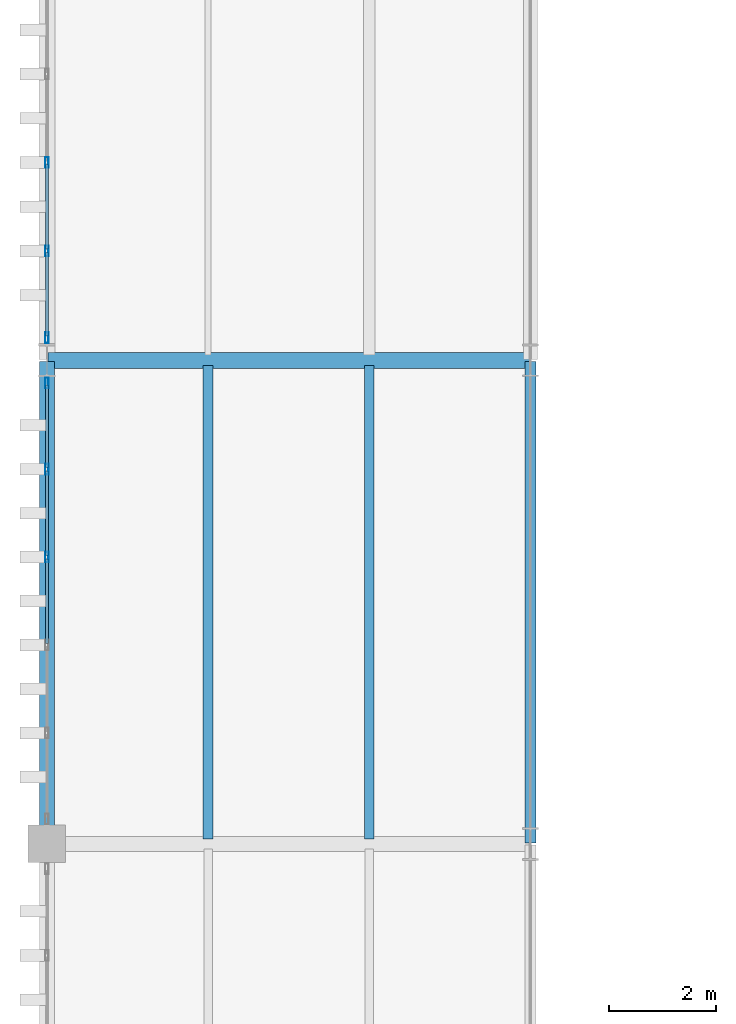
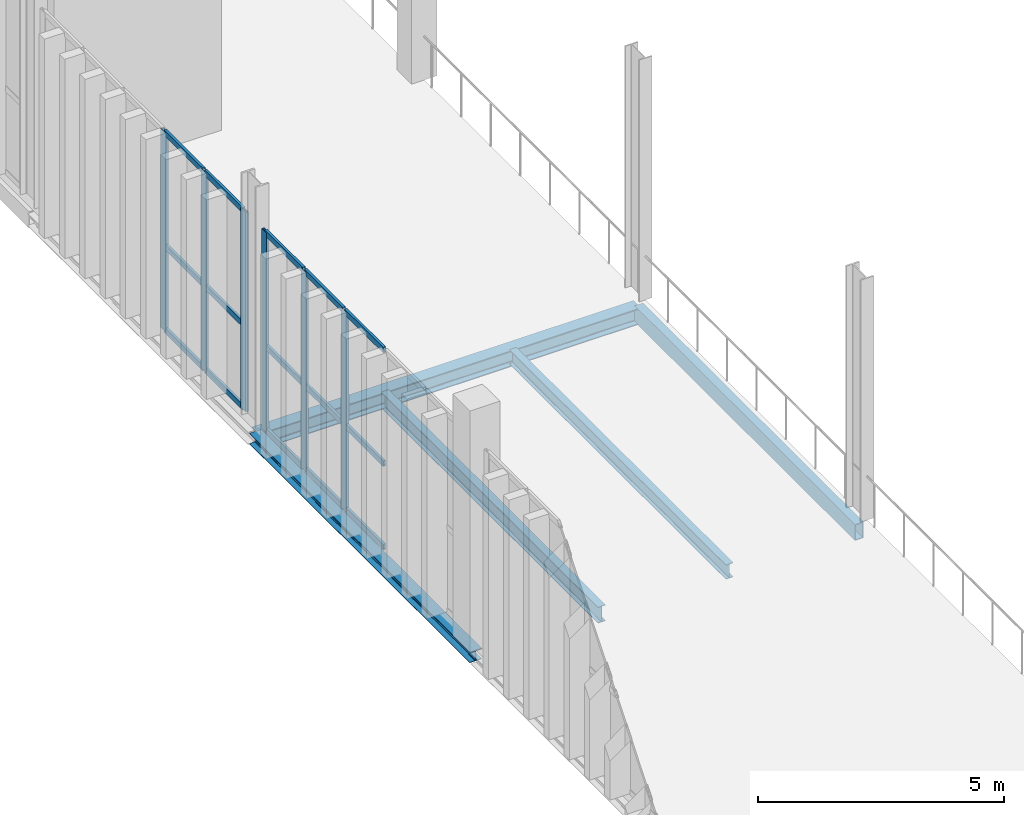
# One storey, part 74 of 211: 21 members, 5 beams, 2 elements without a shape of their own.
"""IFC4 building model written with IfcOpenShell, lengths in metres."""

from ifc_helpers import new_model, si_unit, direction, frame, origin, origin_2d, place, context, subcontext, project, spatial, hollow_rectangle, i_section, extrude, material, layer, layer_set, material_profile, profile_set, type_object, element, aggregate, save


model = new_model("IFC4")

# Units and contexts
model_context = context("Model", 3, precision=1e-05, world=origin(), true_north=direction((0.0, 1.0)))
body_context = subcontext(model_context, "Body", "Model", "MODEL_VIEW")
ifc_project = project(units=[si_unit("LENGTHUNIT", "METRE"), si_unit("AREAUNIT", "SQUARE_METRE"), si_unit("VOLUMEUNIT", "CUBIC_METRE"), si_unit("PLANEANGLEUNIT", "RADIAN"), si_unit("MASSUNIT", "GRAM", prefix="KILO")], contexts=[model_context])

# Site, building, storey
site_placement = place(None, origin())
site = spatial("IfcSite", under=ifc_project, at=site_placement, CompositionType="ELEMENT")
building_placement = place(site_placement, origin())
building = spatial("IfcBuilding", under=site, at=building_placement, Name="Barlavento Convention Centre", CompositionType="ELEMENT")
storey_placement = place(building_placement, frame((0.0, 0.0, 6.0)))
storey = spatial("IfcBuildingStorey", under=building, at=storey_placement, Name="L01", CompositionType="ELEMENT", Elevation=6.0)

# Curtain wall, members
ifc_material_1 = material(Name="Powder-coated aluminium and Low-E glass", Category="aluminium")
ifc_layer = layer(ifc_material_1, 0.179931640625)
ifc_layer_set = layer_set([ifc_layer], Name="ARC-CW-EXH-L01")
curtain_wall_type = type_object("IfcCurtainWallType", Name="ARC-CW-EXH-L01", PredefinedType="NOTDEFINED", material=ifc_layer_set)
curtain_wall_1_placement = place(storey_placement, origin())
curtain_wall_1 = element("IfcCurtainWall", 1, at=curtain_wall_1_placement, inside=storey, type_object=curtain_wall_type, Name="L01 unitised curtain wall CW04", PredefinedType="NOTDEFINED")
ifc_material_2 = material(Name="Powder-coated aluminium", Category="aluminium")
ifc_material_profile_1 = material_profile(ifc_material_2, hollow_rectangle(XDim=0.06494140625, YDim=0.199951171875, WallThickness=0.0048828125, at=origin_2d()), Name="AL-MULL 65x200x5")
ifc_profile_set_1 = profile_set([ifc_material_profile_1], Name="Powder-coated aluminium")
member_type_1 = type_object("IfcMemberType", Name="ARC-CWM-65X200", PredefinedType="MULLION", material=ifc_profile_set_1)
member_1_placement = place(storey_placement, frame((0.0, 77.337890625, 0.0), z_axis=(0.0, 0.0, 1.0), x_axis=(-1.0, 0.0, 0.0)))
member_1 = element("IfcMember", 2, at=member_1_placement, type_object=member_type_1, Name="CW04 mullion 4", PredefinedType="MULLION", context=body_context, shape_type="SweptSolid", body=[
    extrude(hollow_rectangle(XDim=0.06494140625, YDim=0.199951171875, WallThickness=0.0048828125, at=origin_2d()), origin(), (0.0, 0.0, 1.0), 4.949951171875),
])
member_2_placement = place(storey_placement, frame((0.0, 78.97412109375, 0.0), z_axis=(0.0, 0.0, 1.0), x_axis=(-1.0, 0.0, 0.0)))
member_2 = element("IfcMember", 3, at=member_2_placement, type_object=member_type_1, Name="CW04 mullion 5", PredefinedType="MULLION", context=body_context, shape_type="SweptSolid", body=[
    extrude(hollow_rectangle(XDim=0.06494140625, YDim=0.199951171875, WallThickness=0.0048828125, at=origin_2d()), origin(), (0.0, 0.0, 1.0), 4.949951171875),
])
member_3_placement = place(storey_placement, frame((0.0, 80.577392578125, 0.0), z_axis=(0.0, 0.0, 1.0), x_axis=(-1.0, 0.0, 0.0)))
member_3 = element("IfcMember", 4, at=member_3_placement, type_object=member_type_1, Name="CW04 mullion 6", PredefinedType="MULLION", context=body_context, shape_type="SweptSolid", body=[
    extrude(hollow_rectangle(XDim=0.06494140625, YDim=0.199951171875, WallThickness=0.0048828125, at=origin_2d()), origin(), (0.0, 0.0, 1.0), 4.949951171875),
])

curtain_wall_2_placement = place(storey_placement, origin())
curtain_wall_2 = element("IfcCurtainWall", 5, at=curtain_wall_2_placement, inside=storey, type_object=curtain_wall_type, Name="L01 unitised curtain wall CW04", PredefinedType="NOTDEFINED")
member_4_placement = place(storey_placement, frame((0.0, 81.422607421875, 0.0), z_axis=(0.0, 0.0, 1.0), x_axis=(-1.0, 0.0, 0.0)))
member_4 = element("IfcMember", 6, at=member_4_placement, type_object=member_type_1, Name="CW04 mullion 1", PredefinedType="MULLION", context=body_context, shape_type="SweptSolid", body=[
    extrude(hollow_rectangle(XDim=0.06494140625, YDim=0.199951171875, WallThickness=0.0048828125, at=origin_2d()), origin(), (0.0, 0.0, 1.0), 4.949951171875),
])
member_5_placement = place(storey_placement, frame((0.0, 83.035888671875, 0.0), z_axis=(0.0, 0.0, 1.0), x_axis=(-1.0, 0.0, 0.0)))
member_5 = element("IfcMember", 7, at=member_5_placement, type_object=member_type_1, Name="CW04 mullion 2", PredefinedType="MULLION", context=body_context, shape_type="SweptSolid", body=[
    extrude(hollow_rectangle(XDim=0.06494140625, YDim=0.199951171875, WallThickness=0.0048828125, at=origin_2d()), origin(), (0.0, 0.0, 1.0), 4.949951171875),
])
member_6_placement = place(storey_placement, frame((0.0, 84.681884765625, 0.0), z_axis=(0.0, 0.0, 1.0), x_axis=(-1.0, 0.0, 0.0)))
member_6 = element("IfcMember", 8, at=member_6_placement, type_object=member_type_1, Name="CW04 mullion 3", PredefinedType="MULLION", context=body_context, shape_type="SweptSolid", body=[
    extrude(hollow_rectangle(XDim=0.06494140625, YDim=0.199951171875, WallThickness=0.0048828125, at=origin_2d()), origin(), (0.0, 0.0, 1.0), 4.949951171875),
])

# Member
ifc_material_profile_2 = material_profile(ifc_material_2, hollow_rectangle(XDim=0.06005859375, YDim=0.139892578125, WallThickness=0.00390625, at=origin_2d()), Name="AL-TRAN 60x140x4")
ifc_profile_set_2 = profile_set([ifc_material_profile_2], Name="Powder-coated aluminium")
member_type_2 = type_object("IfcMemberType", Name="ARC-CWT-60X140", PredefinedType="USERDEFINED", material=ifc_profile_set_2)
member_7_placement = place(storey_placement, frame((0.0, 75.734619140625, 0.030029296875), z_axis=(0.0, 1.0, 0.0), x_axis=(-1.0, 0.0, 0.0)))
member_7 = element("IfcMember", 9, at=member_7_placement, type_object=member_type_2, Name="CW04 transom 3.1", ObjectType="TRANSOM", PredefinedType="USERDEFINED", context=body_context, shape_type="SweptSolid", body=[
    extrude(hollow_rectangle(XDim=0.06005859375, YDim=0.139892578125, WallThickness=0.00390625, at=origin_2d()), origin(), (0.0, 0.0, 1.0), 1.57080078125),
])

member_8_placement = place(storey_placement, frame((0.0, 75.734619140625, 2.10009765625), z_axis=(0.0, 1.0, 0.0), x_axis=(-1.0, 0.0, 0.0)))
member_8 = element("IfcMember", 10, at=member_8_placement, type_object=member_type_2, Name="CW04 transom 3.2", ObjectType="TRANSOM", PredefinedType="USERDEFINED", context=body_context, shape_type="SweptSolid", body=[
    extrude(hollow_rectangle(XDim=0.06005859375, YDim=0.139892578125, WallThickness=0.00390625, at=origin_2d()), origin(), (0.0, 0.0, 1.0), 1.57080078125),
])

member_9_placement = place(storey_placement, frame((0.0, 75.734619140625, 4.919921875), z_axis=(0.0, 1.0, 0.0), x_axis=(-1.0, 0.0, 0.0)))
member_9 = element("IfcMember", 11, at=member_9_placement, type_object=member_type_2, Name="CW04 transom 3.3", ObjectType="TRANSOM", PredefinedType="USERDEFINED", context=body_context, shape_type="SweptSolid", body=[
    extrude(hollow_rectangle(XDim=0.06005859375, YDim=0.139892578125, WallThickness=0.00390625, at=origin_2d()), origin(), (0.0, 0.0, 1.0), 1.57080078125),
])

member_10_placement = place(storey_placement, frame((0.0, 77.37060546875, 0.030029296875), z_axis=(0.0, 1.0, 0.0), x_axis=(-1.0, 0.0, 0.0)))
member_10 = element("IfcMember", 12, at=member_10_placement, type_object=member_type_2, Name="CW04 transom 4.1", ObjectType="TRANSOM", PredefinedType="USERDEFINED", context=body_context, shape_type="SweptSolid", body=[
    extrude(hollow_rectangle(XDim=0.06005859375, YDim=0.139892578125, WallThickness=0.00390625, at=origin_2d()), origin(), (0.0, 0.0, 1.0), 1.57080078125),
])

member_11_placement = place(storey_placement, frame((0.0, 77.37060546875, 2.10009765625), z_axis=(0.0, 1.0, 0.0), x_axis=(-1.0, 0.0, 0.0)))
member_11 = element("IfcMember", 13, at=member_11_placement, type_object=member_type_2, Name="CW04 transom 4.2", ObjectType="TRANSOM", PredefinedType="USERDEFINED", context=body_context, shape_type="SweptSolid", body=[
    extrude(hollow_rectangle(XDim=0.06005859375, YDim=0.139892578125, WallThickness=0.00390625, at=origin_2d()), origin(), (0.0, 0.0, 1.0), 1.57080078125),
])

member_12_placement = place(storey_placement, frame((0.0, 77.37060546875, 4.919921875), z_axis=(0.0, 1.0, 0.0), x_axis=(-1.0, 0.0, 0.0)))
member_12 = element("IfcMember", 14, at=member_12_placement, type_object=member_type_2, Name="CW04 transom 4.3", ObjectType="TRANSOM", PredefinedType="USERDEFINED", context=body_context, shape_type="SweptSolid", body=[
    extrude(hollow_rectangle(XDim=0.06005859375, YDim=0.139892578125, WallThickness=0.00390625, at=origin_2d()), origin(), (0.0, 0.0, 1.0), 1.57080078125),
])

member_13_placement = place(storey_placement, frame((0.0, 79.006591796875, 0.030029296875), z_axis=(0.0, 1.0, 0.0), x_axis=(-1.0, 0.0, 0.0)))
member_13 = element("IfcMember", 15, at=member_13_placement, type_object=member_type_2, Name="CW04 transom 5.1", ObjectType="TRANSOM", PredefinedType="USERDEFINED", context=body_context, shape_type="SweptSolid", body=[
    extrude(hollow_rectangle(XDim=0.06005859375, YDim=0.139892578125, WallThickness=0.00390625, at=origin_2d()), origin(), (0.0, 0.0, 1.0), 1.538330078125),
])

member_14_placement = place(storey_placement, frame((0.0, 79.006591796875, 2.10009765625), z_axis=(0.0, 1.0, 0.0), x_axis=(-1.0, 0.0, 0.0)))
member_14 = element("IfcMember", 16, at=member_14_placement, type_object=member_type_2, Name="CW04 transom 5.2", ObjectType="TRANSOM", PredefinedType="USERDEFINED", context=body_context, shape_type="SweptSolid", body=[
    extrude(hollow_rectangle(XDim=0.06005859375, YDim=0.139892578125, WallThickness=0.00390625, at=origin_2d()), origin(), (0.0, 0.0, 1.0), 1.538330078125),
])

member_15_placement = place(storey_placement, frame((0.0, 79.006591796875, 4.919921875), z_axis=(0.0, 1.0, 0.0), x_axis=(-1.0, 0.0, 0.0)))
member_15 = element("IfcMember", 17, at=member_15_placement, type_object=member_type_2, Name="CW04 transom 5.3", ObjectType="TRANSOM", PredefinedType="USERDEFINED", context=body_context, shape_type="SweptSolid", body=[
    extrude(hollow_rectangle(XDim=0.06005859375, YDim=0.139892578125, WallThickness=0.00390625, at=origin_2d()), origin(), (0.0, 0.0, 1.0), 1.538330078125),
])

aggregate(curtain_wall_1, [member_1, member_2, member_3, member_7, member_8, member_9, member_10, member_11, member_12, member_13, member_14, member_15])

member_16_placement = place(storey_placement, frame((0.0, 81.455078125, 0.030029296875), z_axis=(0.0, 1.0, 0.0), x_axis=(-1.0, 0.0, 0.0)))
member_16 = element("IfcMember", 18, at=member_16_placement, type_object=member_type_2, Name="CW04 transom 1.1", ObjectType="TRANSOM", PredefinedType="USERDEFINED", context=body_context, shape_type="SweptSolid", body=[
    extrude(hollow_rectangle(XDim=0.06005859375, YDim=0.139892578125, WallThickness=0.00390625, at=origin_2d()), origin(), (0.0, 0.0, 1.0), 1.54833984375),
])

member_17_placement = place(storey_placement, frame((0.0, 81.455078125, 2.10009765625), z_axis=(0.0, 1.0, 0.0), x_axis=(-1.0, 0.0, 0.0)))
member_17 = element("IfcMember", 19, at=member_17_placement, type_object=member_type_2, Name="CW04 transom 1.2", ObjectType="TRANSOM", PredefinedType="USERDEFINED", context=body_context, shape_type="SweptSolid", body=[
    extrude(hollow_rectangle(XDim=0.06005859375, YDim=0.139892578125, WallThickness=0.00390625, at=origin_2d()), origin(), (0.0, 0.0, 1.0), 1.54833984375),
])

member_18_placement = place(storey_placement, frame((0.0, 81.455078125, 4.919921875), z_axis=(0.0, 1.0, 0.0), x_axis=(-1.0, 0.0, 0.0)))
member_18 = element("IfcMember", 20, at=member_18_placement, type_object=member_type_2, Name="CW04 transom 1.3", ObjectType="TRANSOM", PredefinedType="USERDEFINED", context=body_context, shape_type="SweptSolid", body=[
    extrude(hollow_rectangle(XDim=0.06005859375, YDim=0.139892578125, WallThickness=0.00390625, at=origin_2d()), origin(), (0.0, 0.0, 1.0), 1.54833984375),
])

member_19_placement = place(storey_placement, frame((0.0, 83.068603515625, 0.030029296875), z_axis=(0.0, 1.0, 0.0), x_axis=(-1.0, 0.0, 0.0)))
member_19 = element("IfcMember", 21, at=member_19_placement, type_object=member_type_2, Name="CW04 transom 2.1", ObjectType="TRANSOM", PredefinedType="USERDEFINED", context=body_context, shape_type="SweptSolid", body=[
    extrude(hollow_rectangle(XDim=0.06005859375, YDim=0.139892578125, WallThickness=0.00390625, at=origin_2d()), origin(), (0.0, 0.0, 1.0), 1.580810546875),
])

member_20_placement = place(storey_placement, frame((0.0, 83.068603515625, 2.10009765625), z_axis=(0.0, 1.0, 0.0), x_axis=(-1.0, 0.0, 0.0)))
member_20 = element("IfcMember", 22, at=member_20_placement, type_object=member_type_2, Name="CW04 transom 2.2", ObjectType="TRANSOM", PredefinedType="USERDEFINED", context=body_context, shape_type="SweptSolid", body=[
    extrude(hollow_rectangle(XDim=0.06005859375, YDim=0.139892578125, WallThickness=0.00390625, at=origin_2d()), origin(), (0.0, 0.0, 1.0), 1.580810546875),
])

member_21_placement = place(storey_placement, frame((0.0, 83.068603515625, 4.919921875), z_axis=(0.0, 1.0, 0.0), x_axis=(-1.0, 0.0, 0.0)))
member_21 = element("IfcMember", 23, at=member_21_placement, type_object=member_type_2, Name="CW04 transom 2.3", ObjectType="TRANSOM", PredefinedType="USERDEFINED", context=body_context, shape_type="SweptSolid", body=[
    extrude(hollow_rectangle(XDim=0.06005859375, YDim=0.139892578125, WallThickness=0.00390625, at=origin_2d()), origin(), (0.0, 0.0, 1.0), 1.580810546875),
])

aggregate(curtain_wall_2, [member_4, member_5, member_6, member_16, member_17, member_18, member_19, member_20, member_21])

# Beams
ifc_material_3 = material(Name="Steel S355", Category="steel")
ifc_material_profile_3 = material_profile(ifc_material_3, i_section(OverallWidth=0.169921875, OverallDepth=0.360107421875, WebThickness=0.008056640625, FlangeThickness=0.0126953125, FilletRadius=0.01806640625, at=origin_2d()), Name="IPE 360")
ifc_profile_set_3 = profile_set([ifc_material_profile_3], Name="Steel S355")
beam_type_1 = type_object("IfcBeamType", Name="STR-BM-JST-IPE360", PredefinedType="JOIST", material=ifc_profile_set_3)
beam_1_placement = place(storey_placement, frame((6.0, 72.094970703125, -0.4599609375), z_axis=(0.0, 1.0, 0.0), x_axis=(-1.0, 0.0, 0.0)))
element("IfcBeam", 24, at=beam_1_placement, inside=storey, type_object=beam_type_1, Name="L01 composite floor joist SJ05", PredefinedType="JOIST", context=body_context, shape_type="SweptSolid", body=[
    extrude(i_section(OverallWidth=0.169921875, OverallDepth=0.360107421875, WebThickness=0.008056640625, FlangeThickness=0.0126953125, FilletRadius=0.01806640625, at=origin_2d()), origin(), (0.0, 0.0, 1.0), 8.81005859375),
])
ifc_material_profile_4 = material_profile(ifc_material_3, i_section(OverallWidth=0.179931640625, OverallDepth=0.39990234375, WebThickness=0.008544921875, FlangeThickness=0.013427734375, FilletRadius=0.02099609375, at=origin_2d()), Name="IPE 400")
ifc_profile_set_4 = profile_set([ifc_material_profile_4], Name="Steel S355")
beam_type_2 = type_object("IfcBeamType", Name="STR-BM-JST-IPE400", PredefinedType="JOIST", material=ifc_profile_set_4)
beam_2_placement = place(storey_placement, frame((3.0, 72.094970703125, -0.47998046875), z_axis=(0.0, 1.0, 0.0), x_axis=(-1.0, 0.0, 0.0)))
element("IfcBeam", 25, at=beam_2_placement, inside=storey, type_object=beam_type_2, Name="L01 composite floor joist SJ04", PredefinedType="JOIST", context=body_context, shape_type="SweptSolid", body=[
    extrude(i_section(OverallWidth=0.179931640625, OverallDepth=0.39990234375, WebThickness=0.008544921875, FlangeThickness=0.013427734375, FilletRadius=0.02099609375, at=origin_2d()), origin(), (0.0, 0.0, 1.0), 8.81005859375),
])
ifc_material_profile_5 = material_profile(ifc_material_3, i_section(OverallWidth=0.300048828125, OverallDepth=0.39990234375, WebThickness=0.013427734375, FlangeThickness=0.02392578125, FilletRadius=0.027099609375, at=origin_2d()), Name="HEB 400")
ifc_profile_set_5 = profile_set([ifc_material_profile_5], Name="Steel S355")
beam_type_3 = type_object("IfcBeamType", Name="STR-BM-PRI-HEB400", PredefinedType="BEAM", material=ifc_profile_set_5)
beam_3_placement = place(storey_placement, frame((0.02001953125, 81.0, -0.47998046875), z_axis=(1.0, 0.0, 0.0), x_axis=(0.0, 1.0, 0.0)))
element("IfcBeam", 26, at=beam_3_placement, inside=storey, type_object=beam_type_3, Name="L01 primary girder BG11", PredefinedType="BEAM", context=body_context, shape_type="SweptSolid", body=[
    extrude(i_section(OverallWidth=0.300048828125, OverallDepth=0.39990234375, WebThickness=0.013427734375, FlangeThickness=0.02392578125, FilletRadius=0.027099609375, at=origin_2d()), origin(), (0.0, 0.0, 1.0), 8.9599609375),
])
ifc_material_profile_6 = material_profile(ifc_material_3, i_section(OverallWidth=0.280029296875, OverallDepth=0.27001953125, WebThickness=0.008056640625, FlangeThickness=0.012939453125, FilletRadius=0.02392578125, at=origin_2d()), Name="HEA 280")
ifc_profile_set_6 = profile_set([ifc_material_profile_6], Name="Steel S355")
beam_type_4 = type_object("IfcBeamType", Name="STR-BM-SPN-HEA280", PredefinedType="SPANDREL", material=ifc_profile_set_6)
beam_4_placement = place(storey_placement, frame((0.0, 72.02001953125, -0.4150390625), z_axis=(0.0, 1.0, 0.0), x_axis=(-1.0, 0.0, 0.0)))
element("IfcBeam", 27, at=beam_4_placement, inside=storey, type_object=beam_type_4, Name="L01 grid girder SP03", PredefinedType="SPANDREL", context=body_context, shape_type="SweptSolid", body=[
    extrude(i_section(OverallWidth=0.280029296875, OverallDepth=0.27001953125, WebThickness=0.008056640625, FlangeThickness=0.012939453125, FilletRadius=0.02392578125, at=origin_2d()), origin(), (0.0, 0.0, 1.0), 8.9599609375),
])
ifc_material_profile_7 = material_profile(ifc_material_3, hollow_rectangle(XDim=0.199951171875, YDim=0.39990234375, WallThickness=0.01611328125, at=origin_2d()), Name="RHS 400x200x16.0")
ifc_profile_set_7 = profile_set([ifc_material_profile_7], Name="Steel S355")
beam_type_5 = type_object("IfcBeamType", Name="STR-BM-SPN-RHS400", PredefinedType="SPANDREL", material=ifc_profile_set_7)
beam_5_placement = place(storey_placement, frame((9.0, 72.02001953125, -0.47998046875), z_axis=(0.0, 1.0, 0.0), x_axis=(-1.0, 0.0, 0.0)))
element("IfcBeam", 28, at=beam_5_placement, inside=storey, type_object=beam_type_5, Name="L01 grid girder SP06", PredefinedType="SPANDREL", context=body_context, shape_type="SweptSolid", body=[
    extrude(hollow_rectangle(XDim=0.199951171875, YDim=0.39990234375, WallThickness=0.01611328125, at=origin_2d()), origin(), (0.0, 0.0, 1.0), 8.9599609375),
])

save(model, "model.ifc")
